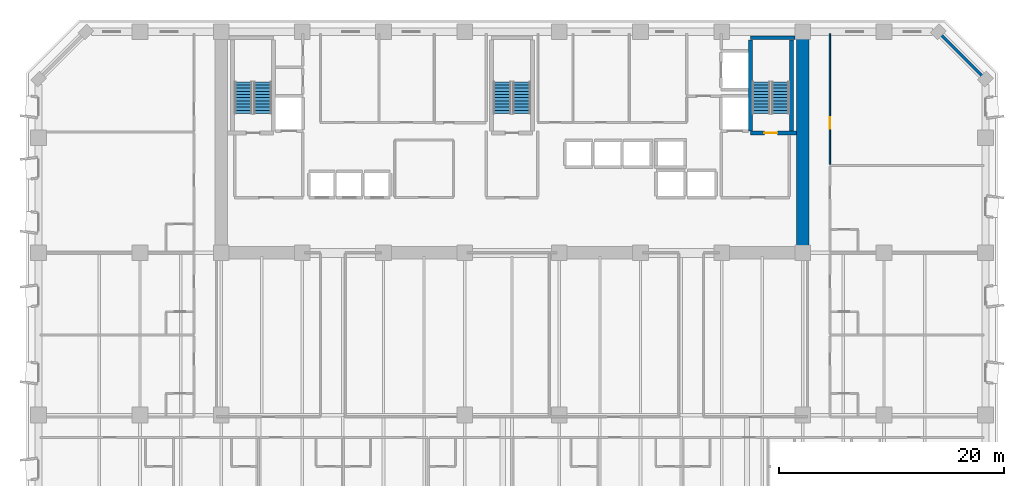
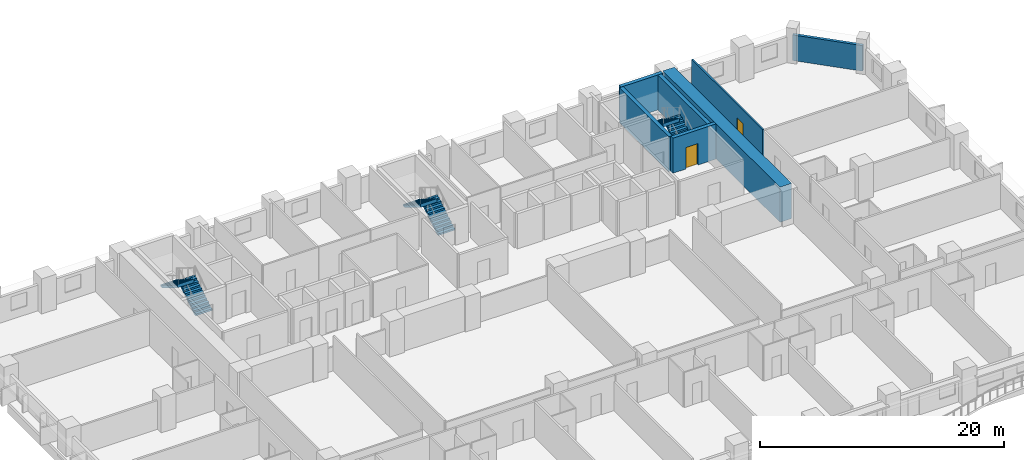
# One storey, part 11 of 15: 7 walls, 6 stair flights, 2 doors, 2 openings, 3 elements without a shape of their own.
"""IFC4 building model written with IfcOpenShell, lengths in metres."""

from ifc_helpers import new_model, si_unit, direction, frame, frame_2d, origin, place, context, subcontext, project, spatial, polyline, rectangle, outline, extrude, material, layer, layer_set, type_object, element, fill, aggregate, save


model = new_model("IFC4")

# Units and contexts
model_context = context("Model", 3, precision=1e-05, world=origin(), true_north=direction((0.0, 1.0)))
body_context = subcontext(model_context, "Body", "Model", "MODEL_VIEW")
ifc_project = project(units=[si_unit("LENGTHUNIT", "METRE"), si_unit("AREAUNIT", "SQUARE_METRE"), si_unit("VOLUMEUNIT", "CUBIC_METRE"), si_unit("PLANEANGLEUNIT", "RADIAN"), si_unit("MASSUNIT", "GRAM", prefix="KILO")], contexts=[model_context])

# Site, building, storey
site_placement = place(None, origin())
site = spatial("IfcSite", under=ifc_project, at=site_placement, CompositionType="ELEMENT")
building_placement = place(site_placement, origin())
building = spatial("IfcBuilding", under=site, at=building_placement, Name="Kaelvorn Grand Hotel", CompositionType="ELEMENT")
storey_placement = place(building_placement, frame((0.0, 0.0, 68.89990234375)))
storey = spatial("IfcBuildingStorey", under=building, at=storey_placement, Name="L15", CompositionType="ELEMENT", Elevation=68.89990234375)

# Walls
ifc_material_1 = material(Name="Concrete C80/95", Category="concrete")
ifc_layer_1 = layer(ifc_material_1, 1.10009765625)
ifc_layer_set_1 = layer_set([ifc_layer_1], Name="Concrete C80/95")
wall_type_1 = type_object("IfcWallType", Name="WL-CORE-1100-C80", PredefinedType="SHEAR", material=ifc_layer_set_1)
wall_1_placement = place(storey_placement, frame((67.800048828125, 29.39990234375, 0.0), z_axis=(0.0, 0.0, 1.0), x_axis=(0.0, 1.0, 0.0)))
element("IfcWall", 1, at=wall_1_placement, inside=storey, type_object=wall_type_1, Name="L15 Rear-Core East Shear Wall", PredefinedType="SHEAR", context=body_context, shape_type="SweptSolid", body=[
    extrude(rectangle(XDim=19.2001953125, YDim=1.10009765625, at=frame_2d((9.60009765625, 0.0))), origin(), (0.0, 0.0, 1.0), 3.510009765625),
])
ifc_material_2 = material(Name="Concrete C40/50", Category="concrete")
ifc_layer_2 = layer(ifc_material_2, 0.260009765625)
ifc_layer_set_2 = layer_set([ifc_layer_2], Name="Concrete C40/50")
wall_type_2 = type_object("IfcWallType", Name="WL-EXT-260-C40", PredefinedType="SOLIDWALL", material=ifc_layer_set_2)
wall_2_placement = place(storey_placement, frame((84.0, 44.800048828125, 0.0), z_axis=(0.0, 0.0, 1.0), x_axis=(-0.707106781187, 0.707106781187, 0.0)))
element("IfcWall", 2, at=wall_2_placement, inside=storey, type_object=wall_type_2, Name="L15 Exterior Architectural Concrete Wall 04", PredefinedType="SOLIDWALL", context=body_context, shape_type="SweptSolid", body=[
    extrude(rectangle(XDim=5.939697265625, YDim=0.260009765625, at=frame_2d((2.9697265625, 0.0))), origin(), (0.0, 0.0, 1.0), 2.56005859375),
])

# Wall, opening, door
ifc_material_3 = material(Name="Acoustic Gypsum & Stud Partition")
ifc_layer_3 = layer(ifc_material_3, 0.14990234375)
ifc_layer_set_3 = layer_set([ifc_layer_3], Name="Acoustic Gypsum & Stud Partition")
wall_type_3 = type_object("IfcWallType", Name="WL-PART-150-EI60", PredefinedType="PARTITIONING", material=ifc_layer_set_3)
wall_3_placement = place(storey_placement, frame((70.199951171875, 37.2451171875, 0.0), z_axis=(0.0, 0.0, 1.0), x_axis=(0.0, 1.0, 0.0)))
wall_3 = element("IfcWall", 3, at=wall_3_placement, inside=storey, type_object=wall_type_3, Name="L15 North-East Diplomatic Living Room W Partition", PredefinedType="PARTITIONING", context=body_context, shape_type="SweptSolid", body=[
    extrude(rectangle(XDim=11.60498046875, YDim=0.14990234375, at=frame_2d((5.802490234375, 0.0))), origin(), (0.0, 0.0, 1.0), 3.510009765625),
])
opening_1_placement = place(wall_3_placement, frame((3.175048828125, 0.0, 0.0)))
opening_1 = element("IfcOpeningElement", 4, at=opening_1_placement, cuts=wall_3, Name="Opening DI3", PredefinedType="OPENING", context=body_context, shape_type="SweptSolid", body=[
    extrude(rectangle(XDim=1.0, YDim=2.14990234375, at=frame_2d((0.5, 1.074951171875))), frame((0.0, 0.0849609375, 0.0), z_axis=(0.0, -1.0, 0.0), x_axis=(1.0, 0.0, 0.0)), (0.0, 0.0, 1.0), 0.169921875),
])
ifc_material_4 = material(Name="Timber Veneer Fire Leaf", Category="wood")
door_type_1 = type_object("IfcDoorType", Name="DR-INT-GUEST-1000x2150", OperationType="NOTDEFINED", PredefinedType="DOOR", material=ifc_material_4)
door_1_placement = place(opening_1_placement, origin())
door_1 = element("IfcDoor", 5, at=door_1_placement, inside=storey, type_object=door_type_1, Name="L15 North-East Diplomatic Living Room Door", OperationType="SINGLE_SWING_RIGHT", OverallHeight=2.14990234375, OverallWidth=1.0, PredefinedType="DOOR", context=body_context, shape_type="SweptSolid", body=[
    extrude(rectangle(XDim=1.0, YDim=2.14990234375, at=frame_2d((0.5, 1.074951171875))), frame((0.0, 0.02490234375, 0.0), z_axis=(0.0, -1.0, 0.0), x_axis=(1.0, 0.0, 0.0)), (0.0, 0.0, 1.0), 0.050048828125),
])
fill(opening_1, door_1)

ifc_material_5 = material(Name="Concrete C60/75", Category="concrete")
ifc_layer_4 = layer(ifc_material_5, 0.35009765625)
ifc_layer_set_4 = layer_set([ifc_layer_4], Name="Concrete C60/75")
wall_type_4 = type_object("IfcWallType", Name="WL-SHAFT-350-C60", PredefinedType="SHEAR", material=ifc_layer_set_4)
wall_4_placement = place(storey_placement, frame((63.14501953125, 40.02490234375, 0.0), z_axis=(0.0, 0.0, 1.0), x_axis=(1.0, 0.0, 0.0)))
wall_4 = element("IfcWall", 6, at=wall_4_placement, inside=storey, type_object=wall_type_4, Name="L15 ST3 Stair Shaft South Wall", PredefinedType="SHEAR", context=body_context, shape_type="SweptSolid", body=[
    extrude(rectangle(XDim=4.10009765625, YDim=0.35009765625, at=frame_2d((2.050048828125, 0.0))), origin(), (0.0, 0.0, 1.0), 3.510009765625),
])
opening_2_placement = place(wall_4_placement, frame((1.239990234375, 0.0, 0.0)))
opening_2 = element("IfcOpeningElement", 7, at=opening_2_placement, cuts=wall_4, Name="Opening DI1", PredefinedType="OPENING", context=body_context, shape_type="SweptSolid", body=[
    extrude(rectangle(XDim=1.14990234375, YDim=2.14990234375, at=frame_2d((0.574951171875, 1.074951171875))), frame((0.0, 0.18505859375, 0.0), z_axis=(0.0, -1.0, 0.0), x_axis=(1.0, 0.0, 0.0)), (0.0, 0.0, 1.0), 0.3701171875),
])
door_type_2 = type_object("IfcDoorType", Name="DR-INT-STAIR-1150x2150", OperationType="NOTDEFINED", PredefinedType="DOOR", material=ifc_material_4)
door_2_placement = place(opening_2_placement, origin())
door_2 = element("IfcDoor", 8, at=door_2_placement, inside=storey, type_object=door_type_2, Name="L15 ST3 Exit Stair Fire Door", OperationType="SINGLE_SWING_RIGHT", OverallHeight=2.14990234375, OverallWidth=1.14990234375, PredefinedType="DOOR", context=body_context, shape_type="SweptSolid", body=[
    extrude(rectangle(XDim=1.14990234375, YDim=2.14990234375, at=frame_2d((0.574951171875, 1.074951171875))), frame((0.0, 0.02490234375, 0.0), z_axis=(0.0, -1.0, 0.0), x_axis=(1.0, 0.0, 0.0)), (0.0, 0.0, 1.0), 0.050048828125),
])
fill(opening_2, door_2)

# Walls
wall_5_placement = place(storey_placement, frame((63.14501953125, 48.47509765625, 0.0), z_axis=(0.0, 0.0, 1.0), x_axis=(1.0, 0.0, 0.0)))
element("IfcWall", 9, at=wall_5_placement, inside=storey, type_object=wall_type_4, Name="L15 ST3 Stair Shaft North Wall", PredefinedType="SHEAR", context=body_context, shape_type="SweptSolid", body=[
    extrude(rectangle(XDim=3.949951171875, YDim=0.35009765625, at=frame_2d((1.97509765625, 0.0))), origin(), (0.0, 0.0, 1.0), 3.510009765625),
])
for number, where, z_axis, x_axis, name in (
    (10, (63.14501953125, 40.205078125, 0.0), (0.0, 0.0, 1.0), (0.0, 1.0, 0.0), "L15 ST3 Stair Shaft West Wall"),
    (11, (66.77490234375, 40.205078125, 0.0), (0.0, 0.0, 1.0), (0.0, 1.0, 0.0), "L15 ST3 Stair Shaft East Wall"),
):
    element("IfcWall", number, at=place(storey_placement, frame(where, z_axis=z_axis, x_axis=x_axis)), inside=storey, type_object=wall_type_4, Name=name, PredefinedType="SHEAR", context=body_context, shape_type="SweptSolid", body=[
        extrude(rectangle(XDim=8.08984375, YDim=0.35009765625, at=frame_2d((4.044921875, 0.0))), origin(), (0.0, 0.0, 1.0), 3.510009765625),
    ])

# Stair, stair flights
stair_type = type_object("IfcStairType", Name="STR-DOG-1560-R06", PredefinedType="HALF_TURN_STAIR", material=ifc_material_2)
stair_1_placement = place(storey_placement, origin())
stair_1 = element("IfcStair", 12, at=stair_1_placement, inside=storey, type_object=stair_type, Name="L15 West Core Exit Stair ST1", PredefinedType="HALF_TURN_STAIR")
stair_flight_type = type_object("IfcStairFlightType", Name="FLG-DOG-1560-R06", PredefinedType="STRAIGHT", material=ifc_material_2)
stair_flight_1_placement = place(storey_placement, frame((19.89990234375, 41.760009765625, 0.0), z_axis=(0.0, 0.0, 1.0), x_axis=(0.0, 1.0, 0.0)))
stair_flight_1 = element("IfcStairFlight", 13, at=stair_flight_1_placement, type_object=stair_flight_type, Name="ST1 flight 1", NumberOfRisers=11, NumberOfTreads=10, PredefinedType="STRAIGHT", RiserHeight=0.170454545, TreadLength=0.28, context=body_context, shape_type="SweptSolid", body=[
    extrude(outline(polyline([(-0.0048828125, 0.0), (-0.0048828125, 0.0400390625), (0.0, 0.17041015625), (0.280029296875, 0.17041015625), (0.280029296875, 0.3408203125), (0.56005859375, 0.3408203125), (0.56005859375, 0.511474609375), (0.840087890625, 0.511474609375), (0.840087890625, 0.681884765625), (1.1201171875, 0.681884765625), (1.1201171875, 0.852294921875), (1.39990234375, 0.852294921875), (1.39990234375, 1.022705078125), (1.679931640625, 1.022705078125), (1.679931640625, 1.193115234375), (1.9599609375, 1.193115234375), (1.9599609375, 1.363525390625), (2.239990234375, 1.363525390625), (2.239990234375, 1.5341796875), (2.52001953125, 1.5341796875), (2.52001953125, 1.70458984375), (2.800048828125, 1.70458984375), (2.800048828125, 1.875), (2.804931640625, 1.875), (2.804931640625, 1.529052734375), (0.288330078125, 0.0), (-0.0048828125, 0.0)])), frame((0.0, 0.780029296875, 0.0), z_axis=(0.0, -1.0, 0.0), x_axis=(1.0, 0.0, 0.0)), (0.0, 0.0, 1.0), 1.56005859375),
])
stair_flight_2_placement = place(storey_placement, frame((18.179931640625, 44.56005859375, 1.875), z_axis=(0.0, 0.0, 1.0), x_axis=(0.0, -1.0, 0.0)))
stair_flight_2 = element("IfcStairFlight", 14, at=stair_flight_2_placement, type_object=stair_flight_type, Name="ST1 flight 2", NumberOfRisers=11, NumberOfTreads=10, PredefinedType="STRAIGHT", RiserHeight=0.170454545, TreadLength=0.28, context=body_context, shape_type="SweptSolid", body=[
    extrude(outline(polyline([(-0.0048828125, 0.0), (-0.0048828125, 0.0400390625), (0.0, 0.17041015625), (0.280029296875, 0.17041015625), (0.280029296875, 0.3408203125), (0.56005859375, 0.3408203125), (0.56005859375, 0.511474609375), (0.840087890625, 0.511474609375), (0.840087890625, 0.681884765625), (1.1201171875, 0.681884765625), (1.1201171875, 0.852294921875), (1.39990234375, 0.852294921875), (1.39990234375, 1.022705078125), (1.679931640625, 1.022705078125), (1.679931640625, 1.193115234375), (1.9599609375, 1.193115234375), (1.9599609375, 1.363525390625), (2.239990234375, 1.363525390625), (2.239990234375, 1.5341796875), (2.52001953125, 1.5341796875), (2.52001953125, 1.70458984375), (2.800048828125, 1.70458984375), (2.800048828125, 1.875), (2.804931640625, 1.875), (2.804931640625, 1.529052734375), (0.288330078125, 0.0), (-0.0048828125, 0.0)])), frame((0.0, 0.780029296875, 0.0), z_axis=(0.0, -1.0, 0.0), x_axis=(1.0, 0.0, 0.0)), (0.0, 0.0, 1.0), 1.56005859375),
])
aggregate(stair_1, [stair_flight_1, stair_flight_2])

stair_2_placement = place(storey_placement, origin())
stair_2 = element("IfcStair", 15, at=stair_2_placement, inside=storey, type_object=stair_type, Name="L15 Central Core Exit Stair ST2", PredefinedType="HALF_TURN_STAIR")
stair_flight_3_placement = place(storey_placement, frame((42.860107421875, 41.760009765625, 0.0), z_axis=(0.0, 0.0, 1.0), x_axis=(0.0, 1.0, 0.0)))
stair_flight_3 = element("IfcStairFlight", 16, at=stair_flight_3_placement, type_object=stair_flight_type, Name="ST2 flight 1", NumberOfRisers=11, NumberOfTreads=10, PredefinedType="STRAIGHT", RiserHeight=0.170454545, TreadLength=0.28, context=body_context, shape_type="SweptSolid", body=[
    extrude(outline(polyline([(-0.0048828125, 0.0), (-0.0048828125, 0.0400390625), (0.0, 0.17041015625), (0.280029296875, 0.17041015625), (0.280029296875, 0.3408203125), (0.56005859375, 0.3408203125), (0.56005859375, 0.511474609375), (0.840087890625, 0.511474609375), (0.840087890625, 0.681884765625), (1.1201171875, 0.681884765625), (1.1201171875, 0.852294921875), (1.39990234375, 0.852294921875), (1.39990234375, 1.022705078125), (1.679931640625, 1.022705078125), (1.679931640625, 1.193115234375), (1.9599609375, 1.193115234375), (1.9599609375, 1.363525390625), (2.239990234375, 1.363525390625), (2.239990234375, 1.5341796875), (2.52001953125, 1.5341796875), (2.52001953125, 1.70458984375), (2.800048828125, 1.70458984375), (2.800048828125, 1.875), (2.804931640625, 1.875), (2.804931640625, 1.529052734375), (0.288330078125, 0.0), (-0.0048828125, 0.0)])), frame((0.0, 0.780029296875, 0.0), z_axis=(0.0, -1.0, 0.0), x_axis=(1.0, 0.0, 0.0)), (0.0, 0.0, 1.0), 1.56005859375),
])
stair_flight_4_placement = place(storey_placement, frame((41.139892578125, 44.56005859375, 1.875), z_axis=(0.0, 0.0, 1.0), x_axis=(0.0, -1.0, 0.0)))
stair_flight_4 = element("IfcStairFlight", 17, at=stair_flight_4_placement, type_object=stair_flight_type, Name="ST2 flight 2", NumberOfRisers=11, NumberOfTreads=10, PredefinedType="STRAIGHT", RiserHeight=0.170454545, TreadLength=0.28, context=body_context, shape_type="SweptSolid", body=[
    extrude(outline(polyline([(-0.0048828125, 0.0), (-0.0048828125, 0.0400390625), (0.0, 0.17041015625), (0.280029296875, 0.17041015625), (0.280029296875, 0.3408203125), (0.56005859375, 0.3408203125), (0.56005859375, 0.511474609375), (0.840087890625, 0.511474609375), (0.840087890625, 0.681884765625), (1.1201171875, 0.681884765625), (1.1201171875, 0.852294921875), (1.39990234375, 0.852294921875), (1.39990234375, 1.022705078125), (1.679931640625, 1.022705078125), (1.679931640625, 1.193115234375), (1.9599609375, 1.193115234375), (1.9599609375, 1.363525390625), (2.239990234375, 1.363525390625), (2.239990234375, 1.5341796875), (2.52001953125, 1.5341796875), (2.52001953125, 1.70458984375), (2.800048828125, 1.70458984375), (2.800048828125, 1.875), (2.804931640625, 1.875), (2.804931640625, 1.529052734375), (0.288330078125, 0.0), (-0.0048828125, 0.0)])), frame((0.0, 0.780029296875, 0.0), z_axis=(0.0, -1.0, 0.0), x_axis=(1.0, 0.0, 0.0)), (0.0, 0.0, 1.0), 1.56005859375),
])
aggregate(stair_2, [stair_flight_3, stair_flight_4])

stair_3_placement = place(storey_placement, origin())
stair_3 = element("IfcStair", 18, at=stair_3_placement, inside=storey, type_object=stair_type, Name="L15 East Core Exit Stair ST3", PredefinedType="HALF_TURN_STAIR")
stair_flight_5_placement = place(storey_placement, frame((65.820068359375, 41.760009765625, 0.0), z_axis=(0.0, 0.0, 1.0), x_axis=(0.0, 1.0, 0.0)))
stair_flight_5 = element("IfcStairFlight", 19, at=stair_flight_5_placement, type_object=stair_flight_type, Name="ST3 flight 1", NumberOfRisers=11, NumberOfTreads=10, PredefinedType="STRAIGHT", RiserHeight=0.170454545, TreadLength=0.28, context=body_context, shape_type="SweptSolid", body=[
    extrude(outline(polyline([(-0.0048828125, 0.0), (-0.0048828125, 0.0400390625), (0.0, 0.17041015625), (0.280029296875, 0.17041015625), (0.280029296875, 0.3408203125), (0.56005859375, 0.3408203125), (0.56005859375, 0.511474609375), (0.840087890625, 0.511474609375), (0.840087890625, 0.681884765625), (1.1201171875, 0.681884765625), (1.1201171875, 0.852294921875), (1.39990234375, 0.852294921875), (1.39990234375, 1.022705078125), (1.679931640625, 1.022705078125), (1.679931640625, 1.193115234375), (1.9599609375, 1.193115234375), (1.9599609375, 1.363525390625), (2.239990234375, 1.363525390625), (2.239990234375, 1.5341796875), (2.52001953125, 1.5341796875), (2.52001953125, 1.70458984375), (2.800048828125, 1.70458984375), (2.800048828125, 1.875), (2.804931640625, 1.875), (2.804931640625, 1.529052734375), (0.288330078125, 0.0), (-0.0048828125, 0.0)])), frame((0.0, 0.780029296875, 0.0), z_axis=(0.0, -1.0, 0.0), x_axis=(1.0, 0.0, 0.0)), (0.0, 0.0, 1.0), 1.56005859375),
])
stair_flight_6_placement = place(storey_placement, frame((64.10009765625, 44.56005859375, 1.875), z_axis=(0.0, 0.0, 1.0), x_axis=(0.0, -1.0, 0.0)))
stair_flight_6 = element("IfcStairFlight", 20, at=stair_flight_6_placement, type_object=stair_flight_type, Name="ST3 flight 2", NumberOfRisers=11, NumberOfTreads=10, PredefinedType="STRAIGHT", RiserHeight=0.170454545, TreadLength=0.28, context=body_context, shape_type="SweptSolid", body=[
    extrude(outline(polyline([(-0.0048828125, 0.0), (-0.0048828125, 0.0400390625), (0.0, 0.17041015625), (0.280029296875, 0.17041015625), (0.280029296875, 0.3408203125), (0.56005859375, 0.3408203125), (0.56005859375, 0.511474609375), (0.840087890625, 0.511474609375), (0.840087890625, 0.681884765625), (1.1201171875, 0.681884765625), (1.1201171875, 0.852294921875), (1.39990234375, 0.852294921875), (1.39990234375, 1.022705078125), (1.679931640625, 1.022705078125), (1.679931640625, 1.193115234375), (1.9599609375, 1.193115234375), (1.9599609375, 1.363525390625), (2.239990234375, 1.363525390625), (2.239990234375, 1.5341796875), (2.52001953125, 1.5341796875), (2.52001953125, 1.70458984375), (2.800048828125, 1.70458984375), (2.800048828125, 1.875), (2.804931640625, 1.875), (2.804931640625, 1.529052734375), (0.288330078125, 0.0), (-0.0048828125, 0.0)])), frame((0.0, 0.780029296875, 0.0), z_axis=(0.0, -1.0, 0.0), x_axis=(1.0, 0.0, 0.0)), (0.0, 0.0, 1.0), 1.56005859375),
])
aggregate(stair_3, [stair_flight_5, stair_flight_6])

save(model, "model.ifc")
